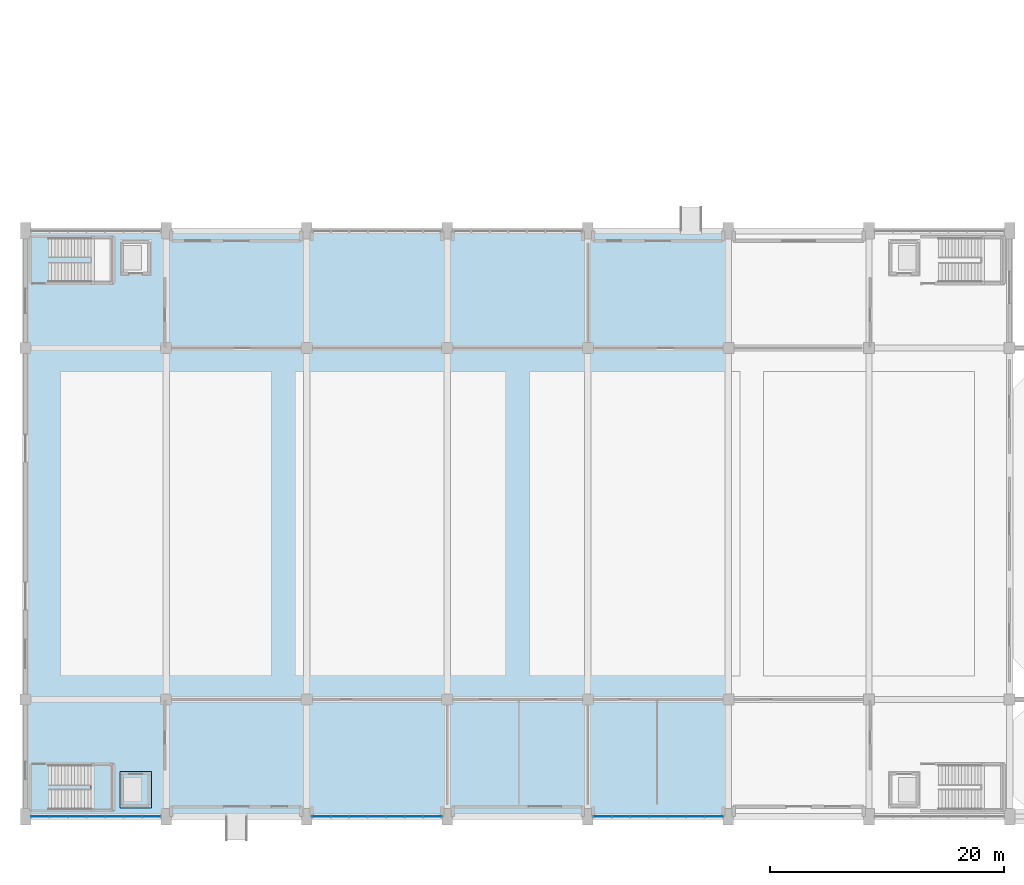
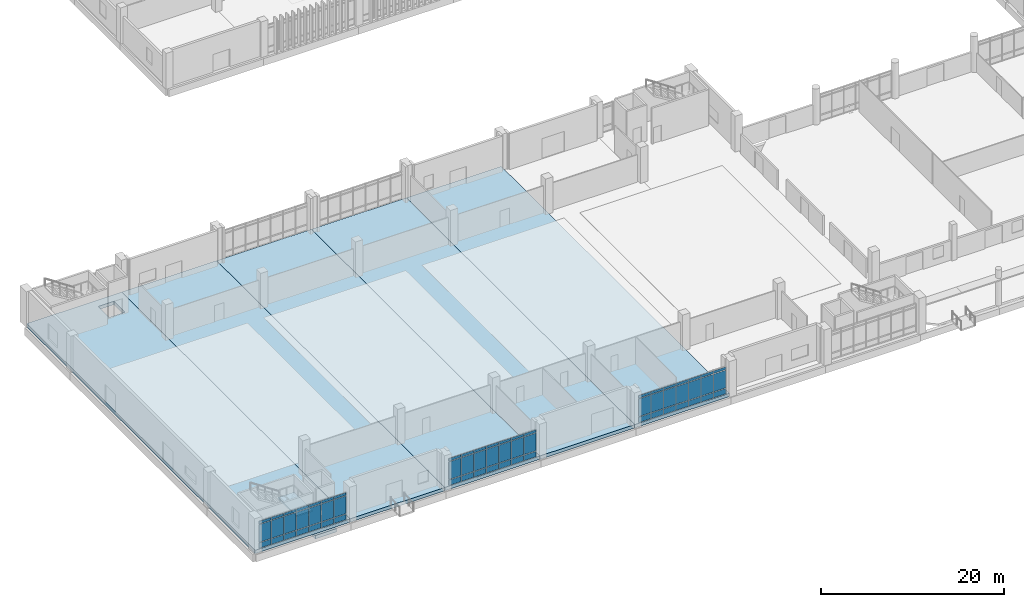
# One storey, part 60 of 87: 63 plates, 7 slabs, 4 elements without a shape of their own.
"""IFC4 building model written with IfcOpenShell, lengths in metres."""

from ifc_helpers import new_model, si_unit, direction, frame, origin, origin_2d, place, context, subcontext, project, spatial, polyline, rectangle, outline, extrude, material, layer, layer_set, type_object, element, aggregate, save


model = new_model("IFC4")

# Units and contexts
model_context = context("Model", 3, precision=1e-05, world=origin(), true_north=direction((0.0, 1.0)))
body_context = subcontext(model_context, "Body", "Model", "MODEL_VIEW")
ifc_project = project(units=[si_unit("LENGTHUNIT", "METRE"), si_unit("AREAUNIT", "SQUARE_METRE"), si_unit("VOLUMEUNIT", "CUBIC_METRE"), si_unit("PLANEANGLEUNIT", "RADIAN"), si_unit("MASSUNIT", "GRAM", prefix="KILO")], contexts=[model_context])

# Site, building, storey
site_placement = place(None, origin())
site = spatial("IfcSite", under=ifc_project, at=site_placement, CompositionType="ELEMENT")
building_placement = place(site_placement, origin())
building = spatial("IfcBuilding", under=site, at=building_placement, Name="Mersad Railyard Sports Hall", CompositionType="ELEMENT")
storey_placement = place(building_placement, origin())
storey = spatial("IfcBuildingStorey", under=building, at=storey_placement, Name="L00", CompositionType="ELEMENT", Elevation=0.0)

# Curtain wall, plates
ifc_material_1 = material(Name="Aluminium 6063-T6", Category="aluminium")
ifc_layer_1 = layer(ifc_material_1, 0.199951171875)
ifc_layer_set_1 = layer_set([ifc_layer_1], Name="Aluminium 6063-T6")
curtain_wall_type = type_object("IfcCurtainWallType", Name="ARC-CW-CW01", PredefinedType="USERDEFINED", material=ifc_layer_set_1)
curtain_wall_1_placement = place(storey_placement, origin())
curtain_wall_1 = element("IfcCurtainWall", 1, at=curtain_wall_1_placement, inside=storey, type_object=curtain_wall_type, Name="Curtain wall CW01-0001", ObjectType="CURTAIN WALL", PredefinedType="USERDEFINED")
ifc_material_2 = material(Name="Solar-control glass", Category="glass")
ifc_layer_2 = layer(ifc_material_2, 0.028076171875)
ifc_layer_set_2 = layer_set([ifc_layer_2], Name="Solar-control glass")
plate_type = type_object("IfcPlateType", Name="ARC-CW-PNL01", PredefinedType="CURTAIN_PANEL", material=ifc_layer_set_2)
plate_1_placement = place(storey_placement, frame((17.739990234375, 3.5, 0.0849609375), z_axis=(0.0, 0.0, 1.0), x_axis=(-1.0, 0.0, 0.0)))
plate_1 = element("IfcPlate", 2, at=plate_1_placement, type_object=plate_type, Name="CW01 Glazed panel 1-1", PredefinedType="CURTAIN_PANEL", context=body_context, shape_type="SweptSolid", body=[
    extrude(rectangle(XDim=1.535888671875, YDim=0.028076171875, at=origin_2d()), origin(), (0.0, 0.0, 1.0), 0.719970703125),
])
plate_2_placement = place(storey_placement, frame((17.739990234375, 3.5, 0.89501953125), z_axis=(0.0, 0.0, 1.0), x_axis=(-1.0, 0.0, 0.0)))
plate_2 = element("IfcPlate", 3, at=plate_2_placement, type_object=plate_type, Name="CW01 Glazed panel 1-2", PredefinedType="CURTAIN_PANEL", context=body_context, shape_type="SweptSolid", body=[
    extrude(rectangle(XDim=1.535888671875, YDim=0.028076171875, at=origin_2d()), origin(), (0.0, 0.0, 1.0), 2.360107421875),
])
plate_3_placement = place(storey_placement, frame((17.739990234375, 3.5, 3.344970703125), z_axis=(0.0, 0.0, 1.0), x_axis=(-1.0, 0.0, 0.0)))
plate_3 = element("IfcPlate", 4, at=plate_3_placement, type_object=plate_type, Name="CW01 Glazed panel 1-3", PredefinedType="CURTAIN_PANEL", context=body_context, shape_type="SweptSolid", body=[
    extrude(rectangle(XDim=1.535888671875, YDim=0.028076171875, at=origin_2d()), origin(), (0.0, 0.0, 1.0), 0.35009765625),
])
plate_4_placement = place(storey_placement, frame((16.159912109375, 3.5, 0.0849609375), z_axis=(0.0, 0.0, 1.0), x_axis=(-1.0, 0.0, 0.0)))
plate_4 = element("IfcPlate", 5, at=plate_4_placement, type_object=plate_type, Name="CW01 Glazed panel 2-1", PredefinedType="CURTAIN_PANEL", context=body_context, shape_type="SweptSolid", body=[
    extrude(rectangle(XDim=1.535888671875, YDim=0.028076171875, at=origin_2d()), origin(), (0.0, 0.0, 1.0), 0.719970703125),
])
plate_5_placement = place(storey_placement, frame((16.159912109375, 3.5, 0.89501953125), z_axis=(0.0, 0.0, 1.0), x_axis=(-1.0, 0.0, 0.0)))
plate_5 = element("IfcPlate", 6, at=plate_5_placement, type_object=plate_type, Name="CW01 Glazed panel 2-2", PredefinedType="CURTAIN_PANEL", context=body_context, shape_type="SweptSolid", body=[
    extrude(rectangle(XDim=1.535888671875, YDim=0.028076171875, at=origin_2d()), origin(), (0.0, 0.0, 1.0), 2.360107421875),
])
plate_6_placement = place(storey_placement, frame((16.159912109375, 3.5, 3.344970703125), z_axis=(0.0, 0.0, 1.0), x_axis=(-1.0, 0.0, 0.0)))
plate_6 = element("IfcPlate", 7, at=plate_6_placement, type_object=plate_type, Name="CW01 Glazed panel 2-3", PredefinedType="CURTAIN_PANEL", context=body_context, shape_type="SweptSolid", body=[
    extrude(rectangle(XDim=1.535888671875, YDim=0.028076171875, at=origin_2d()), origin(), (0.0, 0.0, 1.0), 0.35009765625),
])
plate_7_placement = place(storey_placement, frame((14.580078125, 3.5, 0.0849609375), z_axis=(0.0, 0.0, 1.0), x_axis=(-1.0, 0.0, 0.0)))
plate_7 = element("IfcPlate", 8, at=plate_7_placement, type_object=plate_type, Name="CW01 Glazed panel 3-1", PredefinedType="CURTAIN_PANEL", context=body_context, shape_type="SweptSolid", body=[
    extrude(rectangle(XDim=1.535888671875, YDim=0.028076171875, at=origin_2d()), origin(), (0.0, 0.0, 1.0), 0.719970703125),
])
plate_8_placement = place(storey_placement, frame((14.580078125, 3.5, 0.89501953125), z_axis=(0.0, 0.0, 1.0), x_axis=(-1.0, 0.0, 0.0)))
plate_8 = element("IfcPlate", 9, at=plate_8_placement, type_object=plate_type, Name="CW01 Glazed panel 3-2", PredefinedType="CURTAIN_PANEL", context=body_context, shape_type="SweptSolid", body=[
    extrude(rectangle(XDim=1.535888671875, YDim=0.028076171875, at=origin_2d()), origin(), (0.0, 0.0, 1.0), 2.360107421875),
])
plate_9_placement = place(storey_placement, frame((14.580078125, 3.5, 3.344970703125), z_axis=(0.0, 0.0, 1.0), x_axis=(-1.0, 0.0, 0.0)))
plate_9 = element("IfcPlate", 10, at=plate_9_placement, type_object=plate_type, Name="CW01 Glazed panel 3-3", PredefinedType="CURTAIN_PANEL", context=body_context, shape_type="SweptSolid", body=[
    extrude(rectangle(XDim=1.535888671875, YDim=0.028076171875, at=origin_2d()), origin(), (0.0, 0.0, 1.0), 0.35009765625),
])
plate_10_placement = place(storey_placement, frame((13.0, 3.5, 0.0849609375), z_axis=(0.0, 0.0, 1.0), x_axis=(-1.0, 0.0, 0.0)))
plate_10 = element("IfcPlate", 11, at=plate_10_placement, type_object=plate_type, Name="CW01 Glazed panel 4-1", PredefinedType="CURTAIN_PANEL", context=body_context, shape_type="SweptSolid", body=[
    extrude(rectangle(XDim=1.535888671875, YDim=0.028076171875, at=origin_2d()), origin(), (0.0, 0.0, 1.0), 0.719970703125),
])
plate_11_placement = place(storey_placement, frame((13.0, 3.5, 0.89501953125), z_axis=(0.0, 0.0, 1.0), x_axis=(-1.0, 0.0, 0.0)))
plate_11 = element("IfcPlate", 12, at=plate_11_placement, type_object=plate_type, Name="CW01 Glazed panel 4-2", PredefinedType="CURTAIN_PANEL", context=body_context, shape_type="SweptSolid", body=[
    extrude(rectangle(XDim=1.535888671875, YDim=0.028076171875, at=origin_2d()), origin(), (0.0, 0.0, 1.0), 2.360107421875),
])
plate_12_placement = place(storey_placement, frame((13.0, 3.5, 3.344970703125), z_axis=(0.0, 0.0, 1.0), x_axis=(-1.0, 0.0, 0.0)))
plate_12 = element("IfcPlate", 13, at=plate_12_placement, type_object=plate_type, Name="CW01 Glazed panel 4-3", PredefinedType="CURTAIN_PANEL", context=body_context, shape_type="SweptSolid", body=[
    extrude(rectangle(XDim=1.535888671875, YDim=0.028076171875, at=origin_2d()), origin(), (0.0, 0.0, 1.0), 0.35009765625),
])
plate_13_placement = place(storey_placement, frame((11.419921875, 3.5, 0.0849609375), z_axis=(0.0, 0.0, 1.0), x_axis=(-1.0, 0.0, 0.0)))
plate_13 = element("IfcPlate", 14, at=plate_13_placement, type_object=plate_type, Name="CW01 Glazed panel 5-1", PredefinedType="CURTAIN_PANEL", context=body_context, shape_type="SweptSolid", body=[
    extrude(rectangle(XDim=1.535888671875, YDim=0.028076171875, at=origin_2d()), origin(), (0.0, 0.0, 1.0), 0.719970703125),
])
plate_14_placement = place(storey_placement, frame((11.419921875, 3.5, 0.89501953125), z_axis=(0.0, 0.0, 1.0), x_axis=(-1.0, 0.0, 0.0)))
plate_14 = element("IfcPlate", 15, at=plate_14_placement, type_object=plate_type, Name="CW01 Glazed panel 5-2", PredefinedType="CURTAIN_PANEL", context=body_context, shape_type="SweptSolid", body=[
    extrude(rectangle(XDim=1.535888671875, YDim=0.028076171875, at=origin_2d()), origin(), (0.0, 0.0, 1.0), 2.360107421875),
])
plate_15_placement = place(storey_placement, frame((11.419921875, 3.5, 3.344970703125), z_axis=(0.0, 0.0, 1.0), x_axis=(-1.0, 0.0, 0.0)))
plate_15 = element("IfcPlate", 16, at=plate_15_placement, type_object=plate_type, Name="CW01 Glazed panel 5-3", PredefinedType="CURTAIN_PANEL", context=body_context, shape_type="SweptSolid", body=[
    extrude(rectangle(XDim=1.535888671875, YDim=0.028076171875, at=origin_2d()), origin(), (0.0, 0.0, 1.0), 0.35009765625),
])
plate_16_placement = place(storey_placement, frame((9.840087890625, 3.5, 0.0849609375), z_axis=(0.0, 0.0, 1.0), x_axis=(-1.0, 0.0, 0.0)))
plate_16 = element("IfcPlate", 17, at=plate_16_placement, type_object=plate_type, Name="CW01 Glazed panel 6-1", PredefinedType="CURTAIN_PANEL", context=body_context, shape_type="SweptSolid", body=[
    extrude(rectangle(XDim=1.535888671875, YDim=0.028076171875, at=origin_2d()), origin(), (0.0, 0.0, 1.0), 0.719970703125),
])
plate_17_placement = place(storey_placement, frame((9.840087890625, 3.5, 0.89501953125), z_axis=(0.0, 0.0, 1.0), x_axis=(-1.0, 0.0, 0.0)))
plate_17 = element("IfcPlate", 18, at=plate_17_placement, type_object=plate_type, Name="CW01 Glazed panel 6-2", PredefinedType="CURTAIN_PANEL", context=body_context, shape_type="SweptSolid", body=[
    extrude(rectangle(XDim=1.535888671875, YDim=0.028076171875, at=origin_2d()), origin(), (0.0, 0.0, 1.0), 2.360107421875),
])
plate_18_placement = place(storey_placement, frame((9.840087890625, 3.5, 3.344970703125), z_axis=(0.0, 0.0, 1.0), x_axis=(-1.0, 0.0, 0.0)))
plate_18 = element("IfcPlate", 19, at=plate_18_placement, type_object=plate_type, Name="CW01 Glazed panel 6-3", PredefinedType="CURTAIN_PANEL", context=body_context, shape_type="SweptSolid", body=[
    extrude(rectangle(XDim=1.535888671875, YDim=0.028076171875, at=origin_2d()), origin(), (0.0, 0.0, 1.0), 0.35009765625),
])
plate_19_placement = place(storey_placement, frame((8.260009765625, 3.5, 0.0849609375), z_axis=(0.0, 0.0, 1.0), x_axis=(-1.0, 0.0, 0.0)))
plate_19 = element("IfcPlate", 20, at=plate_19_placement, type_object=plate_type, Name="CW01 Glazed panel 7-1", PredefinedType="CURTAIN_PANEL", context=body_context, shape_type="SweptSolid", body=[
    extrude(rectangle(XDim=1.535888671875, YDim=0.028076171875, at=origin_2d()), origin(), (0.0, 0.0, 1.0), 0.719970703125),
])
plate_20_placement = place(storey_placement, frame((8.260009765625, 3.5, 0.89501953125), z_axis=(0.0, 0.0, 1.0), x_axis=(-1.0, 0.0, 0.0)))
plate_20 = element("IfcPlate", 21, at=plate_20_placement, type_object=plate_type, Name="CW01 Glazed panel 7-2", PredefinedType="CURTAIN_PANEL", context=body_context, shape_type="SweptSolid", body=[
    extrude(rectangle(XDim=1.535888671875, YDim=0.028076171875, at=origin_2d()), origin(), (0.0, 0.0, 1.0), 2.360107421875),
])
plate_21_placement = place(storey_placement, frame((8.260009765625, 3.5, 3.344970703125), z_axis=(0.0, 0.0, 1.0), x_axis=(-1.0, 0.0, 0.0)))
plate_21 = element("IfcPlate", 22, at=plate_21_placement, type_object=plate_type, Name="CW01 Glazed panel 7-3", PredefinedType="CURTAIN_PANEL", context=body_context, shape_type="SweptSolid", body=[
    extrude(rectangle(XDim=1.535888671875, YDim=0.028076171875, at=origin_2d()), origin(), (0.0, 0.0, 1.0), 0.35009765625),
])
aggregate(curtain_wall_1, [plate_1, plate_2, plate_3, plate_4, plate_5, plate_6, plate_7, plate_8, plate_9, plate_10, plate_11, plate_12, plate_13, plate_14, plate_15, plate_16, plate_17, plate_18, plate_19, plate_20, plate_21])

curtain_wall_2_placement = place(storey_placement, origin())
curtain_wall_2 = element("IfcCurtainWall", 23, at=curtain_wall_2_placement, inside=storey, type_object=curtain_wall_type, Name="Curtain wall CW01-0007", ObjectType="CURTAIN WALL", PredefinedType="USERDEFINED")
plate_22_placement = place(storey_placement, frame((41.739990234375, 3.5, 0.0849609375), z_axis=(0.0, 0.0, 1.0), x_axis=(-1.0, 0.0, 0.0)))
plate_22 = element("IfcPlate", 24, at=plate_22_placement, type_object=plate_type, Name="CW01 Glazed panel 1-1", PredefinedType="CURTAIN_PANEL", context=body_context, shape_type="SweptSolid", body=[
    extrude(rectangle(XDim=1.535888671875, YDim=0.028076171875, at=origin_2d()), origin(), (0.0, 0.0, 1.0), 0.719970703125),
])
plate_23_placement = place(storey_placement, frame((41.739990234375, 3.5, 0.89501953125), z_axis=(0.0, 0.0, 1.0), x_axis=(-1.0, 0.0, 0.0)))
plate_23 = element("IfcPlate", 25, at=plate_23_placement, type_object=plate_type, Name="CW01 Glazed panel 1-2", PredefinedType="CURTAIN_PANEL", context=body_context, shape_type="SweptSolid", body=[
    extrude(rectangle(XDim=1.535888671875, YDim=0.028076171875, at=origin_2d()), origin(), (0.0, 0.0, 1.0), 2.360107421875),
])
plate_24_placement = place(storey_placement, frame((41.739990234375, 3.5, 3.344970703125), z_axis=(0.0, 0.0, 1.0), x_axis=(-1.0, 0.0, 0.0)))
plate_24 = element("IfcPlate", 26, at=plate_24_placement, type_object=plate_type, Name="CW01 Glazed panel 1-3", PredefinedType="CURTAIN_PANEL", context=body_context, shape_type="SweptSolid", body=[
    extrude(rectangle(XDim=1.535888671875, YDim=0.028076171875, at=origin_2d()), origin(), (0.0, 0.0, 1.0), 0.35009765625),
])
plate_25_placement = place(storey_placement, frame((40.159912109375, 3.5, 0.0849609375), z_axis=(0.0, 0.0, 1.0), x_axis=(-1.0, 0.0, 0.0)))
plate_25 = element("IfcPlate", 27, at=plate_25_placement, type_object=plate_type, Name="CW01 Glazed panel 2-1", PredefinedType="CURTAIN_PANEL", context=body_context, shape_type="SweptSolid", body=[
    extrude(rectangle(XDim=1.535888671875, YDim=0.028076171875, at=origin_2d()), origin(), (0.0, 0.0, 1.0), 0.719970703125),
])
plate_26_placement = place(storey_placement, frame((40.159912109375, 3.5, 0.89501953125), z_axis=(0.0, 0.0, 1.0), x_axis=(-1.0, 0.0, 0.0)))
plate_26 = element("IfcPlate", 28, at=plate_26_placement, type_object=plate_type, Name="CW01 Glazed panel 2-2", PredefinedType="CURTAIN_PANEL", context=body_context, shape_type="SweptSolid", body=[
    extrude(rectangle(XDim=1.535888671875, YDim=0.028076171875, at=origin_2d()), origin(), (0.0, 0.0, 1.0), 2.360107421875),
])
plate_27_placement = place(storey_placement, frame((40.159912109375, 3.5, 3.344970703125), z_axis=(0.0, 0.0, 1.0), x_axis=(-1.0, 0.0, 0.0)))
plate_27 = element("IfcPlate", 29, at=plate_27_placement, type_object=plate_type, Name="CW01 Glazed panel 2-3", PredefinedType="CURTAIN_PANEL", context=body_context, shape_type="SweptSolid", body=[
    extrude(rectangle(XDim=1.535888671875, YDim=0.028076171875, at=origin_2d()), origin(), (0.0, 0.0, 1.0), 0.35009765625),
])
plate_28_placement = place(storey_placement, frame((38.580078125, 3.5, 0.0849609375), z_axis=(0.0, 0.0, 1.0), x_axis=(-1.0, 0.0, 0.0)))
plate_28 = element("IfcPlate", 30, at=plate_28_placement, type_object=plate_type, Name="CW01 Glazed panel 3-1", PredefinedType="CURTAIN_PANEL", context=body_context, shape_type="SweptSolid", body=[
    extrude(rectangle(XDim=1.535888671875, YDim=0.028076171875, at=origin_2d()), origin(), (0.0, 0.0, 1.0), 0.719970703125),
])
plate_29_placement = place(storey_placement, frame((38.580078125, 3.5, 0.89501953125), z_axis=(0.0, 0.0, 1.0), x_axis=(-1.0, 0.0, 0.0)))
plate_29 = element("IfcPlate", 31, at=plate_29_placement, type_object=plate_type, Name="CW01 Glazed panel 3-2", PredefinedType="CURTAIN_PANEL", context=body_context, shape_type="SweptSolid", body=[
    extrude(rectangle(XDim=1.535888671875, YDim=0.028076171875, at=origin_2d()), origin(), (0.0, 0.0, 1.0), 2.360107421875),
])
plate_30_placement = place(storey_placement, frame((38.580078125, 3.5, 3.344970703125), z_axis=(0.0, 0.0, 1.0), x_axis=(-1.0, 0.0, 0.0)))
plate_30 = element("IfcPlate", 32, at=plate_30_placement, type_object=plate_type, Name="CW01 Glazed panel 3-3", PredefinedType="CURTAIN_PANEL", context=body_context, shape_type="SweptSolid", body=[
    extrude(rectangle(XDim=1.535888671875, YDim=0.028076171875, at=origin_2d()), origin(), (0.0, 0.0, 1.0), 0.35009765625),
])
plate_31_placement = place(storey_placement, frame((37.0, 3.5, 0.0849609375), z_axis=(0.0, 0.0, 1.0), x_axis=(-1.0, 0.0, 0.0)))
plate_31 = element("IfcPlate", 33, at=plate_31_placement, type_object=plate_type, Name="CW01 Glazed panel 4-1", PredefinedType="CURTAIN_PANEL", context=body_context, shape_type="SweptSolid", body=[
    extrude(rectangle(XDim=1.535888671875, YDim=0.028076171875, at=origin_2d()), origin(), (0.0, 0.0, 1.0), 0.719970703125),
])
plate_32_placement = place(storey_placement, frame((37.0, 3.5, 0.89501953125), z_axis=(0.0, 0.0, 1.0), x_axis=(-1.0, 0.0, 0.0)))
plate_32 = element("IfcPlate", 34, at=plate_32_placement, type_object=plate_type, Name="CW01 Glazed panel 4-2", PredefinedType="CURTAIN_PANEL", context=body_context, shape_type="SweptSolid", body=[
    extrude(rectangle(XDim=1.535888671875, YDim=0.028076171875, at=origin_2d()), origin(), (0.0, 0.0, 1.0), 2.360107421875),
])
plate_33_placement = place(storey_placement, frame((37.0, 3.5, 3.344970703125), z_axis=(0.0, 0.0, 1.0), x_axis=(-1.0, 0.0, 0.0)))
plate_33 = element("IfcPlate", 35, at=plate_33_placement, type_object=plate_type, Name="CW01 Glazed panel 4-3", PredefinedType="CURTAIN_PANEL", context=body_context, shape_type="SweptSolid", body=[
    extrude(rectangle(XDim=1.535888671875, YDim=0.028076171875, at=origin_2d()), origin(), (0.0, 0.0, 1.0), 0.35009765625),
])
plate_34_placement = place(storey_placement, frame((35.419921875, 3.5, 0.0849609375), z_axis=(0.0, 0.0, 1.0), x_axis=(-1.0, 0.0, 0.0)))
plate_34 = element("IfcPlate", 36, at=plate_34_placement, type_object=plate_type, Name="CW01 Glazed panel 5-1", PredefinedType="CURTAIN_PANEL", context=body_context, shape_type="SweptSolid", body=[
    extrude(rectangle(XDim=1.535888671875, YDim=0.028076171875, at=origin_2d()), origin(), (0.0, 0.0, 1.0), 0.719970703125),
])
plate_35_placement = place(storey_placement, frame((35.419921875, 3.5, 0.89501953125), z_axis=(0.0, 0.0, 1.0), x_axis=(-1.0, 0.0, 0.0)))
plate_35 = element("IfcPlate", 37, at=plate_35_placement, type_object=plate_type, Name="CW01 Glazed panel 5-2", PredefinedType="CURTAIN_PANEL", context=body_context, shape_type="SweptSolid", body=[
    extrude(rectangle(XDim=1.535888671875, YDim=0.028076171875, at=origin_2d()), origin(), (0.0, 0.0, 1.0), 2.360107421875),
])
plate_36_placement = place(storey_placement, frame((35.419921875, 3.5, 3.344970703125), z_axis=(0.0, 0.0, 1.0), x_axis=(-1.0, 0.0, 0.0)))
plate_36 = element("IfcPlate", 38, at=plate_36_placement, type_object=plate_type, Name="CW01 Glazed panel 5-3", PredefinedType="CURTAIN_PANEL", context=body_context, shape_type="SweptSolid", body=[
    extrude(rectangle(XDim=1.535888671875, YDim=0.028076171875, at=origin_2d()), origin(), (0.0, 0.0, 1.0), 0.35009765625),
])
plate_37_placement = place(storey_placement, frame((33.840087890625, 3.5, 0.0849609375), z_axis=(0.0, 0.0, 1.0), x_axis=(-1.0, 0.0, 0.0)))
plate_37 = element("IfcPlate", 39, at=plate_37_placement, type_object=plate_type, Name="CW01 Glazed panel 6-1", PredefinedType="CURTAIN_PANEL", context=body_context, shape_type="SweptSolid", body=[
    extrude(rectangle(XDim=1.535888671875, YDim=0.028076171875, at=origin_2d()), origin(), (0.0, 0.0, 1.0), 0.719970703125),
])
plate_38_placement = place(storey_placement, frame((33.840087890625, 3.5, 0.89501953125), z_axis=(0.0, 0.0, 1.0), x_axis=(-1.0, 0.0, 0.0)))
plate_38 = element("IfcPlate", 40, at=plate_38_placement, type_object=plate_type, Name="CW01 Glazed panel 6-2", PredefinedType="CURTAIN_PANEL", context=body_context, shape_type="SweptSolid", body=[
    extrude(rectangle(XDim=1.535888671875, YDim=0.028076171875, at=origin_2d()), origin(), (0.0, 0.0, 1.0), 2.360107421875),
])
plate_39_placement = place(storey_placement, frame((33.840087890625, 3.5, 3.344970703125), z_axis=(0.0, 0.0, 1.0), x_axis=(-1.0, 0.0, 0.0)))
plate_39 = element("IfcPlate", 41, at=plate_39_placement, type_object=plate_type, Name="CW01 Glazed panel 6-3", PredefinedType="CURTAIN_PANEL", context=body_context, shape_type="SweptSolid", body=[
    extrude(rectangle(XDim=1.535888671875, YDim=0.028076171875, at=origin_2d()), origin(), (0.0, 0.0, 1.0), 0.35009765625),
])
plate_40_placement = place(storey_placement, frame((32.260009765625, 3.5, 0.0849609375), z_axis=(0.0, 0.0, 1.0), x_axis=(-1.0, 0.0, 0.0)))
plate_40 = element("IfcPlate", 42, at=plate_40_placement, type_object=plate_type, Name="CW01 Glazed panel 7-1", PredefinedType="CURTAIN_PANEL", context=body_context, shape_type="SweptSolid", body=[
    extrude(rectangle(XDim=1.535888671875, YDim=0.028076171875, at=origin_2d()), origin(), (0.0, 0.0, 1.0), 0.719970703125),
])
plate_41_placement = place(storey_placement, frame((32.260009765625, 3.5, 0.89501953125), z_axis=(0.0, 0.0, 1.0), x_axis=(-1.0, 0.0, 0.0)))
plate_41 = element("IfcPlate", 43, at=plate_41_placement, type_object=plate_type, Name="CW01 Glazed panel 7-2", PredefinedType="CURTAIN_PANEL", context=body_context, shape_type="SweptSolid", body=[
    extrude(rectangle(XDim=1.535888671875, YDim=0.028076171875, at=origin_2d()), origin(), (0.0, 0.0, 1.0), 2.360107421875),
])
plate_42_placement = place(storey_placement, frame((32.260009765625, 3.5, 3.344970703125), z_axis=(0.0, 0.0, 1.0), x_axis=(-1.0, 0.0, 0.0)))
plate_42 = element("IfcPlate", 44, at=plate_42_placement, type_object=plate_type, Name="CW01 Glazed panel 7-3", PredefinedType="CURTAIN_PANEL", context=body_context, shape_type="SweptSolid", body=[
    extrude(rectangle(XDim=1.535888671875, YDim=0.028076171875, at=origin_2d()), origin(), (0.0, 0.0, 1.0), 0.35009765625),
])
aggregate(curtain_wall_2, [plate_22, plate_23, plate_24, plate_25, plate_26, plate_27, plate_28, plate_29, plate_30, plate_31, plate_32, plate_33, plate_34, plate_35, plate_36, plate_37, plate_38, plate_39, plate_40, plate_41, plate_42])

curtain_wall_3_placement = place(storey_placement, origin())
curtain_wall_3 = element("IfcCurtainWall", 45, at=curtain_wall_3_placement, inside=storey, type_object=curtain_wall_type, Name="Curtain wall CW01-0014", ObjectType="CURTAIN WALL", PredefinedType="USERDEFINED")
plate_43_placement = place(storey_placement, frame((65.739990234375, 3.5, 0.0849609375), z_axis=(0.0, 0.0, 1.0), x_axis=(-1.0, 0.0, 0.0)))
plate_43 = element("IfcPlate", 46, at=plate_43_placement, type_object=plate_type, Name="CW01 Glazed panel 1-1", PredefinedType="CURTAIN_PANEL", context=body_context, shape_type="SweptSolid", body=[
    extrude(rectangle(XDim=1.535888671875, YDim=0.028076171875, at=origin_2d()), origin(), (0.0, 0.0, 1.0), 0.719970703125),
])
plate_44_placement = place(storey_placement, frame((65.739990234375, 3.5, 0.89501953125), z_axis=(0.0, 0.0, 1.0), x_axis=(-1.0, 0.0, 0.0)))
plate_44 = element("IfcPlate", 47, at=plate_44_placement, type_object=plate_type, Name="CW01 Glazed panel 1-2", PredefinedType="CURTAIN_PANEL", context=body_context, shape_type="SweptSolid", body=[
    extrude(rectangle(XDim=1.535888671875, YDim=0.028076171875, at=origin_2d()), origin(), (0.0, 0.0, 1.0), 2.360107421875),
])
plate_45_placement = place(storey_placement, frame((65.739990234375, 3.5, 3.344970703125), z_axis=(0.0, 0.0, 1.0), x_axis=(-1.0, 0.0, 0.0)))
plate_45 = element("IfcPlate", 48, at=plate_45_placement, type_object=plate_type, Name="CW01 Glazed panel 1-3", PredefinedType="CURTAIN_PANEL", context=body_context, shape_type="SweptSolid", body=[
    extrude(rectangle(XDim=1.535888671875, YDim=0.028076171875, at=origin_2d()), origin(), (0.0, 0.0, 1.0), 0.35009765625),
])
plate_46_placement = place(storey_placement, frame((64.159912109375, 3.5, 0.0849609375), z_axis=(0.0, 0.0, 1.0), x_axis=(-1.0, 0.0, 0.0)))
plate_46 = element("IfcPlate", 49, at=plate_46_placement, type_object=plate_type, Name="CW01 Glazed panel 2-1", PredefinedType="CURTAIN_PANEL", context=body_context, shape_type="SweptSolid", body=[
    extrude(rectangle(XDim=1.535888671875, YDim=0.028076171875, at=origin_2d()), origin(), (0.0, 0.0, 1.0), 0.719970703125),
])
plate_47_placement = place(storey_placement, frame((64.159912109375, 3.5, 0.89501953125), z_axis=(0.0, 0.0, 1.0), x_axis=(-1.0, 0.0, 0.0)))
plate_47 = element("IfcPlate", 50, at=plate_47_placement, type_object=plate_type, Name="CW01 Glazed panel 2-2", PredefinedType="CURTAIN_PANEL", context=body_context, shape_type="SweptSolid", body=[
    extrude(rectangle(XDim=1.535888671875, YDim=0.028076171875, at=origin_2d()), origin(), (0.0, 0.0, 1.0), 2.360107421875),
])
plate_48_placement = place(storey_placement, frame((64.159912109375, 3.5, 3.344970703125), z_axis=(0.0, 0.0, 1.0), x_axis=(-1.0, 0.0, 0.0)))
plate_48 = element("IfcPlate", 51, at=plate_48_placement, type_object=plate_type, Name="CW01 Glazed panel 2-3", PredefinedType="CURTAIN_PANEL", context=body_context, shape_type="SweptSolid", body=[
    extrude(rectangle(XDim=1.535888671875, YDim=0.028076171875, at=origin_2d()), origin(), (0.0, 0.0, 1.0), 0.35009765625),
])
plate_49_placement = place(storey_placement, frame((62.580078125, 3.5, 0.0849609375), z_axis=(0.0, 0.0, 1.0), x_axis=(-1.0, 0.0, 0.0)))
plate_49 = element("IfcPlate", 52, at=plate_49_placement, type_object=plate_type, Name="CW01 Glazed panel 3-1", PredefinedType="CURTAIN_PANEL", context=body_context, shape_type="SweptSolid", body=[
    extrude(rectangle(XDim=1.535888671875, YDim=0.028076171875, at=origin_2d()), origin(), (0.0, 0.0, 1.0), 0.719970703125),
])
plate_50_placement = place(storey_placement, frame((62.580078125, 3.5, 0.89501953125), z_axis=(0.0, 0.0, 1.0), x_axis=(-1.0, 0.0, 0.0)))
plate_50 = element("IfcPlate", 53, at=plate_50_placement, type_object=plate_type, Name="CW01 Glazed panel 3-2", PredefinedType="CURTAIN_PANEL", context=body_context, shape_type="SweptSolid", body=[
    extrude(rectangle(XDim=1.535888671875, YDim=0.028076171875, at=origin_2d()), origin(), (0.0, 0.0, 1.0), 2.360107421875),
])
plate_51_placement = place(storey_placement, frame((62.580078125, 3.5, 3.344970703125), z_axis=(0.0, 0.0, 1.0), x_axis=(-1.0, 0.0, 0.0)))
plate_51 = element("IfcPlate", 54, at=plate_51_placement, type_object=plate_type, Name="CW01 Glazed panel 3-3", PredefinedType="CURTAIN_PANEL", context=body_context, shape_type="SweptSolid", body=[
    extrude(rectangle(XDim=1.535888671875, YDim=0.028076171875, at=origin_2d()), origin(), (0.0, 0.0, 1.0), 0.35009765625),
])
plate_52_placement = place(storey_placement, frame((61.0, 3.5, 0.0849609375), z_axis=(0.0, 0.0, 1.0), x_axis=(-1.0, 0.0, 0.0)))
plate_52 = element("IfcPlate", 55, at=plate_52_placement, type_object=plate_type, Name="CW01 Glazed panel 4-1", PredefinedType="CURTAIN_PANEL", context=body_context, shape_type="SweptSolid", body=[
    extrude(rectangle(XDim=1.535888671875, YDim=0.028076171875, at=origin_2d()), origin(), (0.0, 0.0, 1.0), 0.719970703125),
])
plate_53_placement = place(storey_placement, frame((61.0, 3.5, 0.89501953125), z_axis=(0.0, 0.0, 1.0), x_axis=(-1.0, 0.0, 0.0)))
plate_53 = element("IfcPlate", 56, at=plate_53_placement, type_object=plate_type, Name="CW01 Glazed panel 4-2", PredefinedType="CURTAIN_PANEL", context=body_context, shape_type="SweptSolid", body=[
    extrude(rectangle(XDim=1.535888671875, YDim=0.028076171875, at=origin_2d()), origin(), (0.0, 0.0, 1.0), 2.360107421875),
])
plate_54_placement = place(storey_placement, frame((61.0, 3.5, 3.344970703125), z_axis=(0.0, 0.0, 1.0), x_axis=(-1.0, 0.0, 0.0)))
plate_54 = element("IfcPlate", 57, at=plate_54_placement, type_object=plate_type, Name="CW01 Glazed panel 4-3", PredefinedType="CURTAIN_PANEL", context=body_context, shape_type="SweptSolid", body=[
    extrude(rectangle(XDim=1.535888671875, YDim=0.028076171875, at=origin_2d()), origin(), (0.0, 0.0, 1.0), 0.35009765625),
])
plate_55_placement = place(storey_placement, frame((59.419921875, 3.5, 0.0849609375), z_axis=(0.0, 0.0, 1.0), x_axis=(-1.0, 0.0, 0.0)))
plate_55 = element("IfcPlate", 58, at=plate_55_placement, type_object=plate_type, Name="CW01 Glazed panel 5-1", PredefinedType="CURTAIN_PANEL", context=body_context, shape_type="SweptSolid", body=[
    extrude(rectangle(XDim=1.535888671875, YDim=0.028076171875, at=origin_2d()), origin(), (0.0, 0.0, 1.0), 0.719970703125),
])
plate_56_placement = place(storey_placement, frame((59.419921875, 3.5, 0.89501953125), z_axis=(0.0, 0.0, 1.0), x_axis=(-1.0, 0.0, 0.0)))
plate_56 = element("IfcPlate", 59, at=plate_56_placement, type_object=plate_type, Name="CW01 Glazed panel 5-2", PredefinedType="CURTAIN_PANEL", context=body_context, shape_type="SweptSolid", body=[
    extrude(rectangle(XDim=1.535888671875, YDim=0.028076171875, at=origin_2d()), origin(), (0.0, 0.0, 1.0), 2.360107421875),
])
plate_57_placement = place(storey_placement, frame((59.419921875, 3.5, 3.344970703125), z_axis=(0.0, 0.0, 1.0), x_axis=(-1.0, 0.0, 0.0)))
plate_57 = element("IfcPlate", 60, at=plate_57_placement, type_object=plate_type, Name="CW01 Glazed panel 5-3", PredefinedType="CURTAIN_PANEL", context=body_context, shape_type="SweptSolid", body=[
    extrude(rectangle(XDim=1.535888671875, YDim=0.028076171875, at=origin_2d()), origin(), (0.0, 0.0, 1.0), 0.35009765625),
])
plate_58_placement = place(storey_placement, frame((57.840087890625, 3.5, 0.0849609375), z_axis=(0.0, 0.0, 1.0), x_axis=(-1.0, 0.0, 0.0)))
plate_58 = element("IfcPlate", 61, at=plate_58_placement, type_object=plate_type, Name="CW01 Glazed panel 6-1", PredefinedType="CURTAIN_PANEL", context=body_context, shape_type="SweptSolid", body=[
    extrude(rectangle(XDim=1.535888671875, YDim=0.028076171875, at=origin_2d()), origin(), (0.0, 0.0, 1.0), 0.719970703125),
])
plate_59_placement = place(storey_placement, frame((57.840087890625, 3.5, 0.89501953125), z_axis=(0.0, 0.0, 1.0), x_axis=(-1.0, 0.0, 0.0)))
plate_59 = element("IfcPlate", 62, at=plate_59_placement, type_object=plate_type, Name="CW01 Glazed panel 6-2", PredefinedType="CURTAIN_PANEL", context=body_context, shape_type="SweptSolid", body=[
    extrude(rectangle(XDim=1.535888671875, YDim=0.028076171875, at=origin_2d()), origin(), (0.0, 0.0, 1.0), 2.360107421875),
])
plate_60_placement = place(storey_placement, frame((57.840087890625, 3.5, 3.344970703125), z_axis=(0.0, 0.0, 1.0), x_axis=(-1.0, 0.0, 0.0)))
plate_60 = element("IfcPlate", 63, at=plate_60_placement, type_object=plate_type, Name="CW01 Glazed panel 6-3", PredefinedType="CURTAIN_PANEL", context=body_context, shape_type="SweptSolid", body=[
    extrude(rectangle(XDim=1.535888671875, YDim=0.028076171875, at=origin_2d()), origin(), (0.0, 0.0, 1.0), 0.35009765625),
])
plate_61_placement = place(storey_placement, frame((56.260009765625, 3.5, 0.0849609375), z_axis=(0.0, 0.0, 1.0), x_axis=(-1.0, 0.0, 0.0)))
plate_61 = element("IfcPlate", 64, at=plate_61_placement, type_object=plate_type, Name="CW01 Glazed panel 7-1", PredefinedType="CURTAIN_PANEL", context=body_context, shape_type="SweptSolid", body=[
    extrude(rectangle(XDim=1.535888671875, YDim=0.028076171875, at=origin_2d()), origin(), (0.0, 0.0, 1.0), 0.719970703125),
])
plate_62_placement = place(storey_placement, frame((56.260009765625, 3.5, 0.89501953125), z_axis=(0.0, 0.0, 1.0), x_axis=(-1.0, 0.0, 0.0)))
plate_62 = element("IfcPlate", 65, at=plate_62_placement, type_object=plate_type, Name="CW01 Glazed panel 7-2", PredefinedType="CURTAIN_PANEL", context=body_context, shape_type="SweptSolid", body=[
    extrude(rectangle(XDim=1.535888671875, YDim=0.028076171875, at=origin_2d()), origin(), (0.0, 0.0, 1.0), 2.360107421875),
])
plate_63_placement = place(storey_placement, frame((56.260009765625, 3.5, 3.344970703125), z_axis=(0.0, 0.0, 1.0), x_axis=(-1.0, 0.0, 0.0)))
plate_63 = element("IfcPlate", 66, at=plate_63_placement, type_object=plate_type, Name="CW01 Glazed panel 7-3", PredefinedType="CURTAIN_PANEL", context=body_context, shape_type="SweptSolid", body=[
    extrude(rectangle(XDim=1.535888671875, YDim=0.028076171875, at=origin_2d()), origin(), (0.0, 0.0, 1.0), 0.35009765625),
])
aggregate(curtain_wall_3, [plate_43, plate_44, plate_45, plate_46, plate_47, plate_48, plate_49, plate_50, plate_51, plate_52, plate_53, plate_54, plate_55, plate_56, plate_57, plate_58, plate_59, plate_60, plate_61, plate_62, plate_63])

# Slabs
ifc_material_3 = material(Name="Concrete C40/50", Category="concrete")
ifc_layer_3 = layer(ifc_material_3, 0.449951171875)
ifc_layer_set_3 = layer_set([ifc_layer_3], Name="Concrete C40/50")
slab_type_1 = type_object("IfcSlabType", Name="STR-SL-BS02", PredefinedType="BASESLAB", material=ifc_layer_set_3)
slab_1_placement = place(storey_placement, frame((0.0, 0.0, -0.449951171875)))
element("IfcSlab", 67, at=slab_1_placement, inside=storey, type_object=slab_type_1, Name="Slab BS02-0010", PredefinedType="BASESLAB", context=body_context, shape_type="SweptSolid", body=[
    extrude(outline(polyline([(7.0, 3.5), (19.0, 3.5), (19.0, 53.5), (7.0, 53.5), (7.0, 3.5)]), holes=[polyline([(15.39990234375, 4.60009765625), (17.39990234375, 4.60009765625), (17.39990234375, 7.0), (15.39990234375, 7.0), (15.39990234375, 4.60009765625)]), polyline([(15.39990234375, 50.0), (17.39990234375, 50.0), (17.39990234375, 52.39990234375), (15.39990234375, 52.39990234375), (15.39990234375, 50.0)])]), origin(), (0.0, 0.0, 1.0), 0.449951171875),
])
slab_2_placement = place(storey_placement, frame((0.0, 0.0, -0.449951171875)))
element("IfcSlab", 68, at=slab_2_placement, inside=storey, type_object=slab_type_1, Name="Slab BS02-0011", PredefinedType="BASESLAB", context=body_context, shape_type="SweptSolid", body=[
    extrude(outline(polyline([(19.0, 3.5), (31.0, 3.5), (31.0, 53.5), (19.0, 53.5), (19.0, 3.5)])), origin(), (0.0, 0.0, 1.0), 0.449951171875),
])
slab_3_placement = place(storey_placement, frame((0.0, 0.0, -0.449951171875)))
element("IfcSlab", 69, at=slab_3_placement, inside=storey, type_object=slab_type_1, Name="Slab BS02-0012", PredefinedType="BASESLAB", context=body_context, shape_type="SweptSolid", body=[
    extrude(outline(polyline([(31.0, 3.5), (43.0, 3.5), (43.0, 53.5), (31.0, 53.5), (31.0, 3.5)])), origin(), (0.0, 0.0, 1.0), 0.449951171875),
])
slab_4_placement = place(storey_placement, frame((0.0, 0.0, -0.449951171875)))
element("IfcSlab", 70, at=slab_4_placement, inside=storey, type_object=slab_type_1, Name="Slab BS02-0013", PredefinedType="BASESLAB", context=body_context, shape_type="SweptSolid", body=[
    extrude(outline(polyline([(43.0, 3.5), (55.0, 3.5), (55.0, 53.5), (43.0, 53.5), (43.0, 3.5)])), origin(), (0.0, 0.0, 1.0), 0.449951171875),
])
slab_5_placement = place(storey_placement, frame((0.0, 0.0, -0.449951171875)))
element("IfcSlab", 71, at=slab_5_placement, inside=storey, type_object=slab_type_1, Name="Slab BS02-0014", PredefinedType="BASESLAB", context=body_context, shape_type="SweptSolid", body=[
    extrude(outline(polyline([(55.0, 3.5), (67.0, 3.5), (67.0, 53.5), (55.0, 53.5), (55.0, 3.5)])), origin(), (0.0, 0.0, 1.0), 0.449951171875),
])
slab_6_placement = place(storey_placement, frame((0.0, 0.0, -1.75)))
element("IfcSlab", 72, at=slab_6_placement, inside=storey, type_object=slab_type_1, Name="Lift PL-07 shaft pit base", PredefinedType="BASESLAB", context=body_context, shape_type="SweptSolid", body=[
    extrude(outline(polyline([(15.050048828125, 4.25), (17.75, 4.25), (17.75, 7.35009765625), (15.050048828125, 7.35009765625), (15.050048828125, 4.25)])), origin(), (0.0, 0.0, 1.0), 0.449951171875),
])

# Stair, slab
stair_type = type_object("IfcStairType", Name="ARC-ST-ST05A", PredefinedType="HALF_TURN_STAIR", material=ifc_material_3)
stair_placement = place(storey_placement, origin())
stair = element("IfcStair", 73, at=stair_placement, inside=storey, type_object=stair_type, Name="SW Pavilion Pitch Stair L00-L01", PredefinedType="HALF_TURN_STAIR")
ifc_layer_4 = layer(ifc_material_3, 0.179931640625)
ifc_layer_set_4 = layer_set([ifc_layer_4], Name="Concrete C40/50")
slab_type_2 = type_object("IfcSlabType", Name="STR-SL-LD01", PredefinedType="LANDING", material=ifc_layer_set_4)
slab_7_placement = place(storey_placement, frame((0.0, 0.0, 2.219970703125)))
slab_7 = element("IfcSlab", 74, at=slab_7_placement, type_object=slab_type_2, Name="SW Pavilion Pitch Stair L00-L01 Half Landing", PredefinedType="LANDING", context=body_context, shape_type="SweptSolid", body=[
    extrude(outline(polyline([(12.530029296875, 3.97998046875), (14.570068359375, 3.97998046875), (14.570068359375, 8.02001953125), (12.530029296875, 8.02001953125), (12.530029296875, 3.97998046875)])), origin(), (0.0, 0.0, 1.0), 0.179931640625),
])
aggregate(stair, [slab_7])

save(model, "model.ifc")
